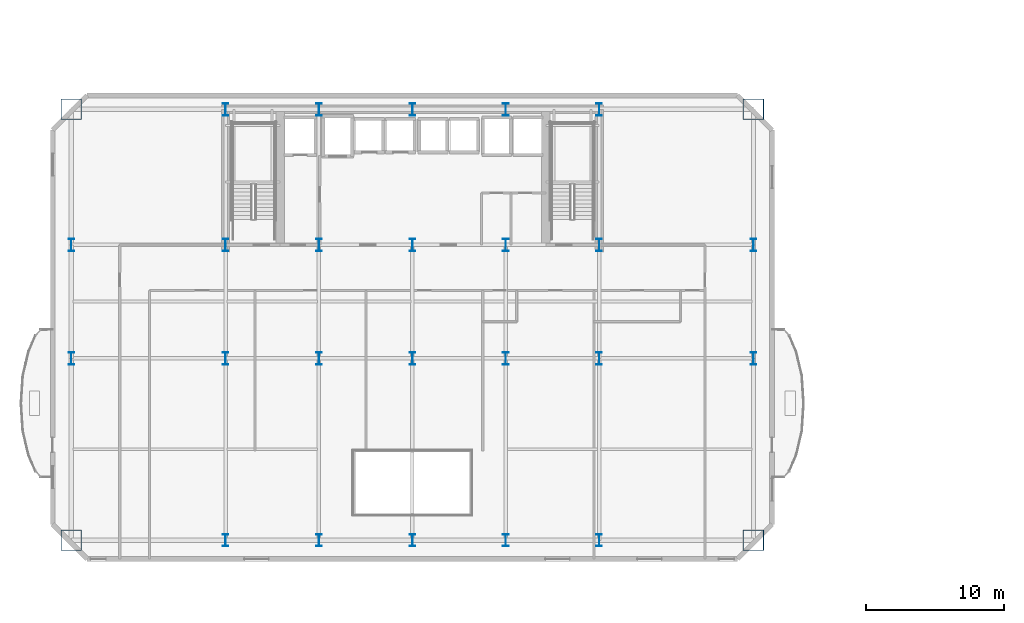
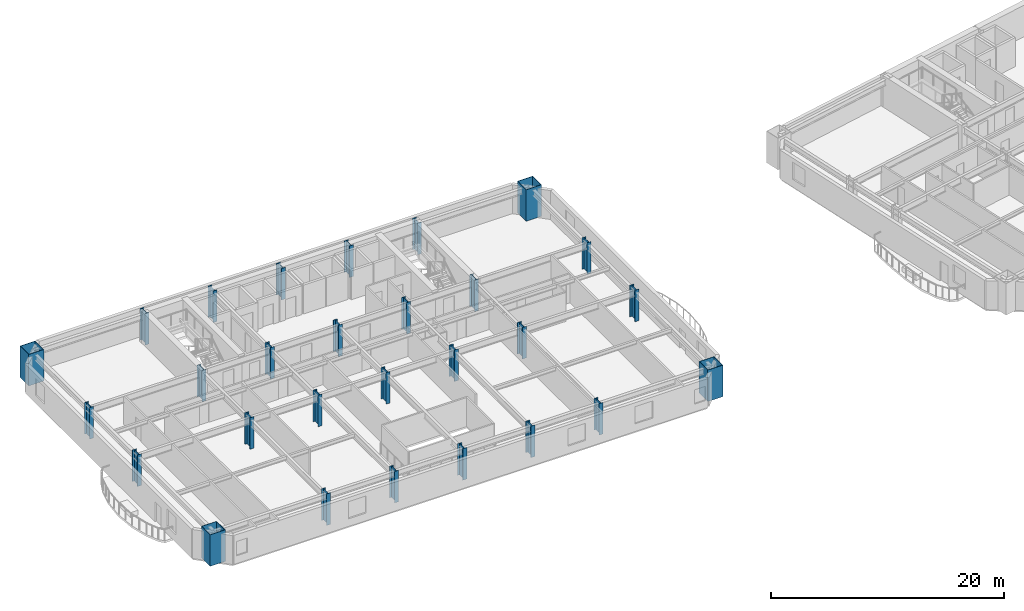
# One storey, part 1 of 16: 28 columns.
"""IFC4 building model written with IfcOpenShell, lengths in metres."""

from ifc_helpers import new_model, si_unit, direction, frame, origin, origin_2d, place, context, subcontext, project, spatial, hollow_rectangle, i_section, extrude, material, material_profile, profile_set, type_object, element, save


model = new_model("IFC4")

# Units and contexts
model_context = context("Model", 3, precision=1e-05, world=origin(), true_north=direction((0.0, 1.0)))
body_context = subcontext(model_context, "Body", "Model", "MODEL_VIEW")
ifc_project = project(units=[si_unit("LENGTHUNIT", "METRE"), si_unit("AREAUNIT", "SQUARE_METRE"), si_unit("VOLUMEUNIT", "CUBIC_METRE"), si_unit("PLANEANGLEUNIT", "RADIAN"), si_unit("MASSUNIT", "GRAM", prefix="KILO")], contexts=[model_context])

# Site, building, storey
site_placement = place(None, origin())
site = spatial("IfcSite", under=ifc_project, at=site_placement, CompositionType="ELEMENT")
building_placement = place(site_placement, origin())
building = spatial("IfcBuilding", under=site, at=building_placement, Name="Haevon Station Towers", CompositionType="ELEMENT")
storey_placement = place(building_placement, frame((0.0, 0.0, 57.0)))
storey = spatial("IfcBuildingStorey", under=building, at=storey_placement, Name="L14", CompositionType="ELEMENT", Elevation=57.0)

# Columns
ifc_material = material(Name="Steel S460", Category="steel")
ifc_material_profile_1 = material_profile(ifc_material, hollow_rectangle(XDim=1.5, YDim=1.5, WallThickness=0.0400390625, at=origin_2d()), Name="BOX-1500x1500x40")
ifc_profile_set_1 = profile_set([ifc_material_profile_1], Name="Steel S460")
column_type_1 = type_object("IfcColumnType", Name="COL-MC2", PredefinedType="COLUMN", material=ifc_profile_set_1)
for number, where, z_axis, x_axis, name in (
    (1, (12.85009765625, 16.85009765625, 0.0), (0.0, 0.0, 1.0), (1.0, 0.0, 0.0), "COL-T1-L14-01-01"),
    (2, (12.85009765625, 48.0, 0.0), (0.0, 0.0, 1.0), (1.0, 0.0, 0.0), "COL-T1-L14-01-04"),
    (3, (62.14990234375, 16.85009765625, 0.0), (0.0, 0.0, 1.0), (1.0, 0.0, 0.0), "COL-T1-L14-07-01"),
    (4, (62.14990234375, 48.0, 0.0), (0.0, 0.0, 1.0), (1.0, 0.0, 0.0), "COL-T1-L14-07-04"),
):
    element("IfcColumn", number, at=place(storey_placement, frame(where, z_axis=z_axis, x_axis=x_axis)), inside=storey, type_object=column_type_1, Name=name, PredefinedType="COLUMN", context=body_context, shape_type="SweptSolid", body=[
        extrude(hollow_rectangle(XDim=1.5, YDim=1.5, WallThickness=0.0400390625, at=origin_2d()), origin(), (0.0, 0.0, 1.0), 3.300048828125),
    ])
ifc_material_profile_2 = material_profile(ifc_material, i_section(OverallWidth=0.39990234375, OverallDepth=0.89990234375, WebThickness=0.02001953125, FlangeThickness=0.035888671875, at=origin_2d()), Name="H-900x400x20x36")
ifc_profile_set_2 = profile_set([ifc_material_profile_2], Name="Steel S460")
column_type_2 = type_object("IfcColumnType", Name="COL-TW1", PredefinedType="COLUMN", material=ifc_profile_set_2)
for number, where, z_axis, x_axis, name in (
    (5, (12.85009765625, 30.0, 0.0), (0.0, 0.0, 1.0), (1.0, 0.0, 0.0), "COL-T1-L14-01-02"),
    (6, (12.85009765625, 38.199951171875, 0.0), (0.0, 0.0, 1.0), (1.0, 0.0, 0.0), "COL-T1-L14-01-03"),
    (7, (24.0, 16.85009765625, 0.0), (0.0, 0.0, 1.0), (1.0, 0.0, 0.0), "COL-T1-L14-02-01"),
    (8, (24.0, 30.0, 0.0), (0.0, 0.0, 1.0), (1.0, 0.0, 0.0), "COL-T1-L14-02-02"),
    (9, (24.0, 38.199951171875, 0.0), (0.0, 0.0, 1.0), (1.0, 0.0, 0.0), "COL-T1-L14-02-03"),
    (10, (24.0, 48.0, 0.0), (0.0, 0.0, 1.0), (1.0, 0.0, 0.0), "COL-T1-L14-02-04"),
    (11, (30.75, 16.85009765625, 0.0), (0.0, 0.0, 1.0), (1.0, 0.0, 0.0), "COL-T1-L14-03-01"),
    (12, (30.75, 30.0, 0.0), (0.0, 0.0, 1.0), (1.0, 0.0, 0.0), "COL-T1-L14-03-02"),
    (13, (30.75, 38.199951171875, 0.0), (0.0, 0.0, 1.0), (1.0, 0.0, 0.0), "COL-T1-L14-03-03"),
    (14, (30.75, 48.0, 0.0), (0.0, 0.0, 1.0), (1.0, 0.0, 0.0), "COL-T1-L14-03-04"),
    (15, (37.5, 16.85009765625, 0.0), (0.0, 0.0, 1.0), (1.0, 0.0, 0.0), "COL-T1-L14-04-01"),
    (16, (37.5, 30.0, 0.0), (0.0, 0.0, 1.0), (1.0, 0.0, 0.0), "COL-T1-L14-04-02"),
    (17, (37.5, 38.199951171875, 0.0), (0.0, 0.0, 1.0), (1.0, 0.0, 0.0), "COL-T1-L14-04-03"),
    (18, (37.5, 48.0, 0.0), (0.0, 0.0, 1.0), (1.0, 0.0, 0.0), "COL-T1-L14-04-04"),
    (19, (44.25, 16.85009765625, 0.0), (0.0, 0.0, 1.0), (1.0, 0.0, 0.0), "COL-T1-L14-05-01"),
    (20, (44.25, 30.0, 0.0), (0.0, 0.0, 1.0), (1.0, 0.0, 0.0), "COL-T1-L14-05-02"),
    (21, (44.25, 38.199951171875, 0.0), (0.0, 0.0, 1.0), (1.0, 0.0, 0.0), "COL-T1-L14-05-03"),
    (22, (44.25, 48.0, 0.0), (0.0, 0.0, 1.0), (1.0, 0.0, 0.0), "COL-T1-L14-05-04"),
    (23, (51.0, 16.85009765625, 0.0), (0.0, 0.0, 1.0), (1.0, 0.0, 0.0), "COL-T1-L14-06-01"),
    (24, (51.0, 30.0, 0.0), (0.0, 0.0, 1.0), (1.0, 0.0, 0.0), "COL-T1-L14-06-02"),
    (25, (51.0, 38.199951171875, 0.0), (0.0, 0.0, 1.0), (1.0, 0.0, 0.0), "COL-T1-L14-06-03"),
    (26, (51.0, 48.0, 0.0), (0.0, 0.0, 1.0), (1.0, 0.0, 0.0), "COL-T1-L14-06-04"),
    (27, (62.14990234375, 30.0, 0.0), (0.0, 0.0, 1.0), (1.0, 0.0, 0.0), "COL-T1-L14-07-02"),
    (28, (62.14990234375, 38.199951171875, 0.0), (0.0, 0.0, 1.0), (1.0, 0.0, 0.0), "COL-T1-L14-07-03"),
):
    element("IfcColumn", number, at=place(storey_placement, frame(where, z_axis=z_axis, x_axis=x_axis)), inside=storey, type_object=column_type_2, Name=name, PredefinedType="COLUMN", context=body_context, shape_type="SweptSolid", body=[
        extrude(i_section(OverallWidth=0.39990234375, OverallDepth=0.89990234375, WebThickness=0.02001953125, FlangeThickness=0.035888671875, at=origin_2d()), origin(), (0.0, 0.0, 1.0), 3.300048828125),
    ])

save(model, "model.ifc")
